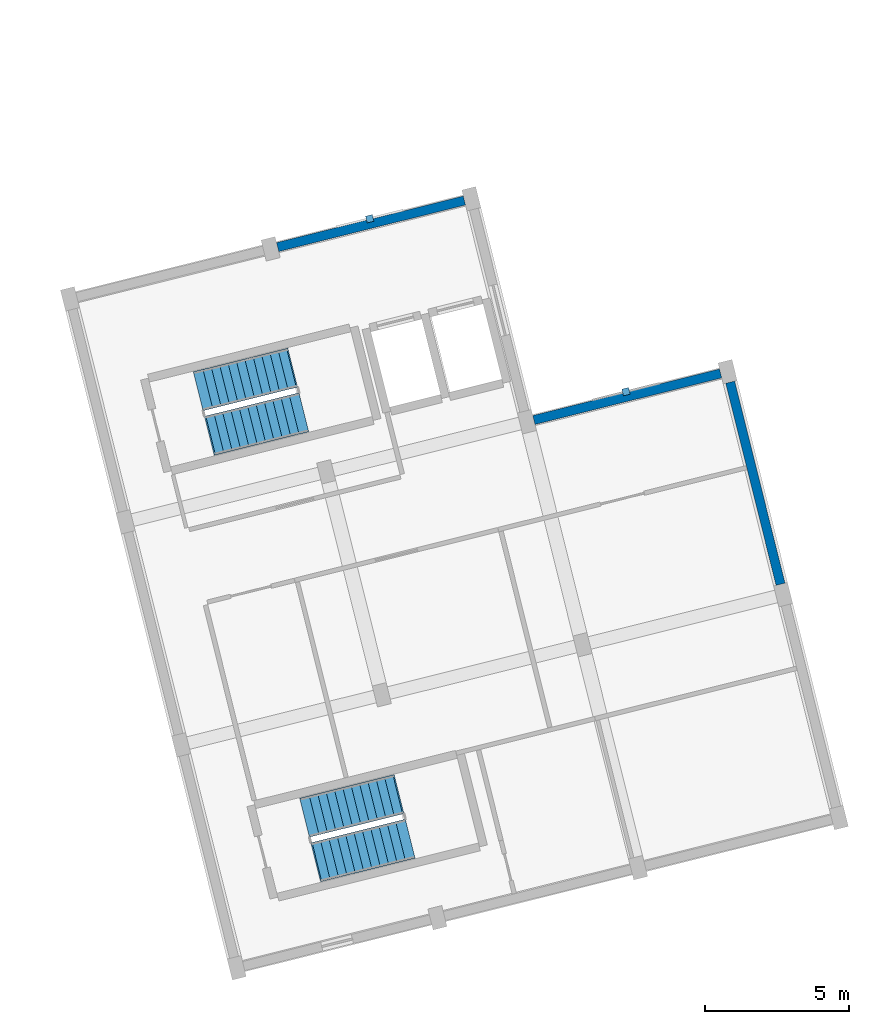
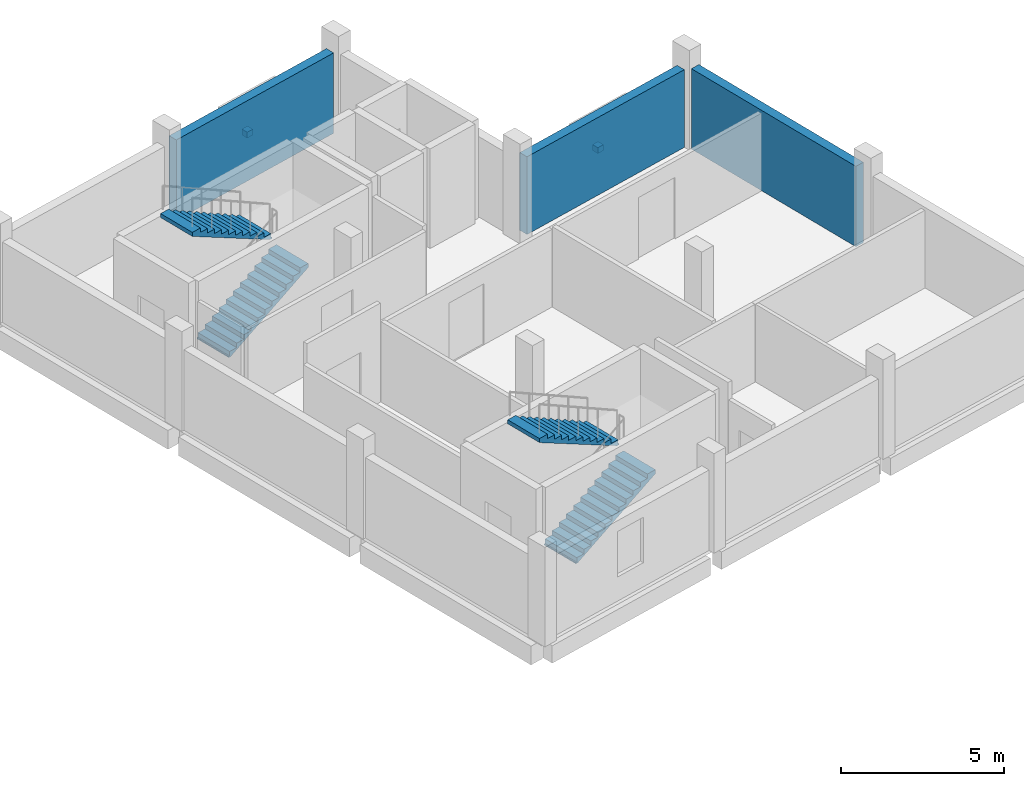
# One storey, part 6 of 8: 4 stair flights, 3 walls, 2 discrete accessories, 2 elements without a shape of their own.
"""IFC4 building model written with IfcOpenShell, lengths in metres."""

from ifc_helpers import new_model, si_unit, direction, frame, frame_2d, origin, origin_2d, place, context, subcontext, project, spatial, polyline, rectangle, outline, extrude, material, layer, layer_set, type_object, element, aggregate, save


model = new_model("IFC4")

# Units and contexts
model_context = context("Model", 3, precision=1e-05, world=origin(), true_north=direction((0.0, 1.0)))
body_context = subcontext(model_context, "Body", "Model", "MODEL_VIEW")
ifc_project = project(units=[si_unit("LENGTHUNIT", "METRE"), si_unit("AREAUNIT", "SQUARE_METRE"), si_unit("VOLUMEUNIT", "CUBIC_METRE"), si_unit("PLANEANGLEUNIT", "RADIAN"), si_unit("MASSUNIT", "GRAM", prefix="KILO")], contexts=[model_context])

# Site, building, storey
site_placement = place(None, origin())
site = spatial("IfcSite", under=ifc_project, at=site_placement, CompositionType="ELEMENT")
building_placement = place(site_placement, origin())
building = spatial("IfcBuilding", under=site, at=building_placement, Name="Mawjan Specialist Oncology Clinic", CompositionType="ELEMENT")
storey_placement = place(building_placement, frame((0.0, 0.0, 21.5)))
storey = spatial("IfcBuildingStorey", under=building, at=storey_placement, Name="L05", CompositionType="ELEMENT", Elevation=21.5)

# Walls
ifc_material_1 = material(Name="Precast concrete C40/50", Category="concrete")
ifc_layer_1 = layer(ifc_material_1, 0.320068359375, Name="Precast concrete C40/50", Category="concrete")
ifc_layer_set_1 = layer_set([ifc_layer_1], Name="Precast concrete C40/50")
wall_type = type_object("IfcWallType", Name="EW-320", PredefinedType="SOLIDWALL", material=ifc_layer_set_1)
wall_1_placement = place(storey_placement, frame((136.343994140625, 19.868896484375, 0.0), z_axis=(0.0, 0.0, 1.0), x_axis=(0.970296633454, 0.241918257079, 0.0)))
element("IfcWall", 1, at=wall_1_placement, inside=storey, type_object=wall_type, Name="L05 Coral-Limestone Exterior Wall EW-L05-365", PredefinedType="SOLIDWALL", context=body_context, shape_type="SweptSolid", body=[
    extrude(rectangle(XDim=6.699951171875, YDim=0.320068359375, at=frame_2d((3.35009765625, 0.0))), origin(), (0.0, 0.0, 1.0), 2.905029296875),
])
wall_2_placement = place(storey_placement, frame((143.178466796875, 21.186279296875, 0.0), z_axis=(0.0, 0.0, 1.0), x_axis=(0.241925454579, -0.970294838916, 0.0)))
element("IfcWall", 2, at=wall_2_placement, inside=storey, type_object=wall_type, Name="L05 Coral-Limestone Exterior Wall EW-L05-366", PredefinedType="SOLIDWALL", context=body_context, shape_type="SweptSolid", body=[
    extrude(rectangle(XDim=7.249755859375, YDim=0.320068359375, at=frame_2d((3.625, 0.0))), origin(), (0.0, 0.0, 1.0), 3.0048828125),
])
wall_3_placement = place(storey_placement, frame((127.422607421875, 25.889404296875, 0.0), z_axis=(0.0, 0.0, 1.0), x_axis=(0.970296633454, 0.241918257079, 0.0)))
element("IfcWall", 3, at=wall_3_placement, inside=storey, type_object=wall_type, Name="L05 Coral-Limestone Exterior Wall EW-L05-375", PredefinedType="SOLIDWALL", context=body_context, shape_type="SweptSolid", body=[
    extrude(rectangle(XDim=6.699951171875, YDim=0.320068359375, at=frame_2d((3.35009765625, 0.0))), origin(), (0.0, 0.0, 1.0), 3.0048828125),
])

# Stair, stair flights
ifc_material_2 = material(Name="Concrete C35/45", Category="concrete")
stair_type = type_object("IfcStairType", Name="STR-CORE40", PredefinedType="HALF_TURN_STAIR", material=ifc_material_2)
stair_1_placement = place(storey_placement, origin())
stair_1 = element("IfcStair", 4, at=stair_1_placement, inside=storey, type_object=stair_type, Name="L05 Exit Stair ST-05", PredefinedType="HALF_TURN_STAIR")
ifc_material_3 = material(Name="Concrete C35/45", Category="concrete")
ifc_layer_2 = layer(ifc_material_3, 0.14990234375, Name="Concrete C35/45", Category="concrete")
ifc_layer_set_2 = layer_set([ifc_layer_2], Name="Concrete C35/45")
stair_flight_type = type_object("IfcStairFlightType", Name="FLT-CORE40", PredefinedType="STRAIGHT", material=ifc_layer_set_2)
stair_flight_1_placement = place(storey_placement, frame((125.090087890625, 19.330322265625, 0.0), z_axis=(0.0, 0.0, 1.0), x_axis=(0.970295726276, 0.2419218956, 0.0)))
stair_flight_1 = element("IfcStairFlight", 5, at=stair_flight_1_placement, type_object=stair_flight_type, Name="ST-05 flight 1", NumberOfRisers=12, NumberOfTreads=11, PredefinedType="STRAIGHT", RiserHeight=0.166666667, TreadLength=0.3, context=body_context, shape_type="SweptSolid", body=[
    extrude(outline(polyline([(-0.044921875, -0.0400390625), (-0.044921875, 0.0), (0.0, 0.0), (0.0, 0.166748046875), (0.300048828125, 0.166748046875), (0.300048828125, 0.333251953125), (0.60009765625, 0.333251953125), (0.60009765625, 0.5), (0.89990234375, 0.5), (0.89990234375, 0.666748046875), (1.199951171875, 0.666748046875), (1.199951171875, 0.833251953125), (1.5, 0.833251953125), (1.5, 1.0), (1.800048828125, 1.0), (1.800048828125, 1.166748046875), (2.10009765625, 1.166748046875), (2.10009765625, 1.333251953125), (2.39990234375, 1.333251953125), (2.39990234375, 1.5), (2.699951171875, 1.5), (2.699951171875, 1.666748046875), (3.0, 1.666748046875), (3.0, 1.833251953125), (3.300048828125, 1.833251953125), (3.344970703125, 1.833251953125), (3.344970703125, 1.683349609375), (0.044921875, -0.0400390625), (-0.044921875, -0.0400390625)])), frame((0.0, 0.699951171875, 0.0), z_axis=(0.0, -1.0, 0.0), x_axis=(1.0, 0.0, 0.0)), (0.0, 0.0, 1.0), 1.39990234375),
])
stair_flight_2_placement = place(storey_placement, frame((127.905029296875, 21.68115234375, 2.0), z_axis=(0.0, 0.0, 1.0), x_axis=(-0.970295726276, -0.2419218956, 0.0)))
stair_flight_2 = element("IfcStairFlight", 6, at=stair_flight_2_placement, type_object=stair_flight_type, Name="ST-05 flight 2", NumberOfRisers=12, NumberOfTreads=11, PredefinedType="STRAIGHT", RiserHeight=0.166666667, TreadLength=0.3, context=body_context, shape_type="SweptSolid", body=[
    extrude(outline(polyline([(-0.044921875, -0.0400390625), (-0.044921875, 0.0), (0.0, 0.0), (0.0, 0.166748046875), (0.300048828125, 0.166748046875), (0.300048828125, 0.333251953125), (0.60009765625, 0.333251953125), (0.60009765625, 0.5), (0.89990234375, 0.5), (0.89990234375, 0.666748046875), (1.199951171875, 0.666748046875), (1.199951171875, 0.833251953125), (1.5, 0.833251953125), (1.5, 1.0), (1.800048828125, 1.0), (1.800048828125, 1.166748046875), (2.10009765625, 1.166748046875), (2.10009765625, 1.333251953125), (2.39990234375, 1.333251953125), (2.39990234375, 1.5), (2.699951171875, 1.5), (2.699951171875, 1.666748046875), (3.0, 1.666748046875), (3.0, 1.833251953125), (3.300048828125, 1.833251953125), (3.344970703125, 1.833251953125), (3.344970703125, 1.683349609375), (0.044921875, -0.0400390625), (-0.044921875, -0.0400390625)])), frame((0.0, 0.699951171875, 0.0), z_axis=(0.0, -1.0, 0.0), x_axis=(1.0, 0.0, 0.0)), (0.0, 0.0, 1.0), 1.39990234375),
])
aggregate(stair_1, [stair_flight_1, stair_flight_2])

stair_2_placement = place(storey_placement, origin())
stair_2 = element("IfcStair", 7, at=stair_2_placement, inside=storey, type_object=stair_type, Name="L05 Exit Stair ST-06", PredefinedType="HALF_TURN_STAIR")
stair_flight_3_placement = place(storey_placement, frame((128.79150390625, 4.48486328125, 0.0), z_axis=(0.0, 0.0, 1.0), x_axis=(0.970295726276, 0.2419218956, 0.0)))
stair_flight_3 = element("IfcStairFlight", 8, at=stair_flight_3_placement, type_object=stair_flight_type, Name="ST-06 flight 1", NumberOfRisers=12, NumberOfTreads=11, PredefinedType="STRAIGHT", RiserHeight=0.166666667, TreadLength=0.3, context=body_context, shape_type="SweptSolid", body=[
    extrude(outline(polyline([(-0.044921875, -0.0400390625), (-0.044921875, 0.0), (0.0, 0.0), (0.0, 0.166748046875), (0.300048828125, 0.166748046875), (0.300048828125, 0.333251953125), (0.60009765625, 0.333251953125), (0.60009765625, 0.5), (0.89990234375, 0.5), (0.89990234375, 0.666748046875), (1.199951171875, 0.666748046875), (1.199951171875, 0.833251953125), (1.5, 0.833251953125), (1.5, 1.0), (1.800048828125, 1.0), (1.800048828125, 1.166748046875), (2.10009765625, 1.166748046875), (2.10009765625, 1.333251953125), (2.39990234375, 1.333251953125), (2.39990234375, 1.5), (2.699951171875, 1.5), (2.699951171875, 1.666748046875), (3.0, 1.666748046875), (3.0, 1.833251953125), (3.300048828125, 1.833251953125), (3.344970703125, 1.833251953125), (3.344970703125, 1.683349609375), (0.044921875, -0.0400390625), (-0.044921875, -0.0400390625)])), frame((0.0, 0.699951171875, 0.0), z_axis=(0.0, -1.0, 0.0), x_axis=(1.0, 0.0, 0.0)), (0.0, 0.0, 1.0), 1.39990234375),
])
stair_flight_4_placement = place(storey_placement, frame((131.6064453125, 6.835693359375, 2.0), z_axis=(0.0, 0.0, 1.0), x_axis=(-0.970295726276, -0.2419218956, 0.0)))
stair_flight_4 = element("IfcStairFlight", 9, at=stair_flight_4_placement, type_object=stair_flight_type, Name="ST-06 flight 2", NumberOfRisers=12, NumberOfTreads=11, PredefinedType="STRAIGHT", RiserHeight=0.166666667, TreadLength=0.3, context=body_context, shape_type="SweptSolid", body=[
    extrude(outline(polyline([(-0.044921875, -0.0400390625), (-0.044921875, 0.0), (0.0, 0.0), (0.0, 0.166748046875), (0.300048828125, 0.166748046875), (0.300048828125, 0.333251953125), (0.60009765625, 0.333251953125), (0.60009765625, 0.5), (0.89990234375, 0.5), (0.89990234375, 0.666748046875), (1.199951171875, 0.666748046875), (1.199951171875, 0.833251953125), (1.5, 0.833251953125), (1.5, 1.0), (1.800048828125, 1.0), (1.800048828125, 1.166748046875), (2.10009765625, 1.166748046875), (2.10009765625, 1.333251953125), (2.39990234375, 1.333251953125), (2.39990234375, 1.5), (2.699951171875, 1.5), (2.699951171875, 1.666748046875), (3.0, 1.666748046875), (3.0, 1.833251953125), (3.300048828125, 1.833251953125), (3.344970703125, 1.833251953125), (3.344970703125, 1.683349609375), (0.044921875, -0.0400390625), (-0.044921875, -0.0400390625)])), frame((0.0, 0.699951171875, 0.0), z_axis=(0.0, -1.0, 0.0), x_axis=(1.0, 0.0, 0.0)), (0.0, 0.0, 1.0), 1.39990234375),
])
aggregate(stair_2, [stair_flight_3, stair_flight_4])

# Discrete accessories
ifc_material_4 = material(Name="Structural steel S355", Category="steel")
ifc_layer_3 = layer(ifc_material_4, 0.219970703125, Name="Structural steel S355", Category="steel")
ifc_layer_set_3 = layer_set([ifc_layer_3], Name="Structural steel S355")
discrete_accessory_type = type_object("IfcDiscreteAccessoryType", Name="BRK-S355", PredefinedType="BRACKET", material=ifc_layer_set_3)
for number, where, z_axis, x_axis, name in (
    (10, (139.551025390625, 20.85400390625, 1.34228515625), (0.0, 0.0, 1.0), (0.970295726276, 0.2419218956, 0.0), "Rawshan Screen Mounting Bracket 88"),
    (11, (130.629638671875, 26.87451171875, 1.392578125), (0.0, 0.0, 1.0), (0.970295726276, 0.2419218956, 0.0), "Rawshan Screen Mounting Bracket 89"),
):
    element("IfcDiscreteAccessory", number, at=place(storey_placement, frame(where, z_axis=z_axis, x_axis=x_axis)), inside=storey, type_object=discrete_accessory_type, Name=name, PredefinedType="BRACKET", context=body_context, shape_type="SweptSolid", body=[
        extrude(rectangle(XDim=0.239990234375, YDim=0.239990234375, at=origin_2d()), origin(), (0.0, 0.0, 1.0), 0.219970703125),
    ])

save(model, "model.ifc")
